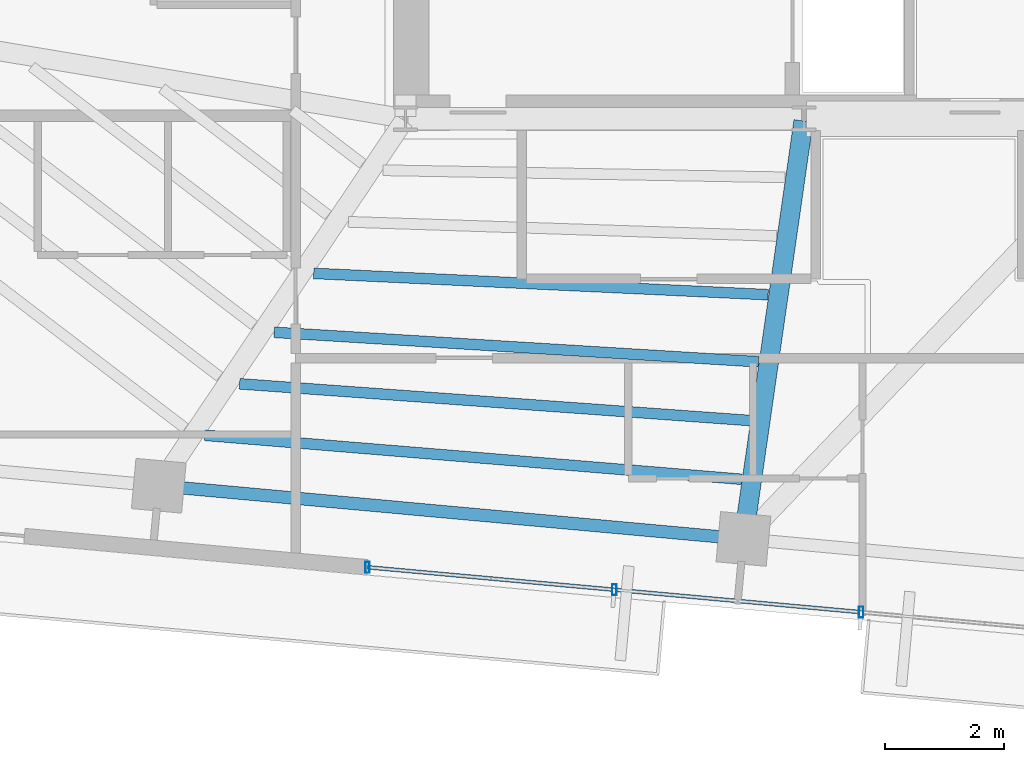
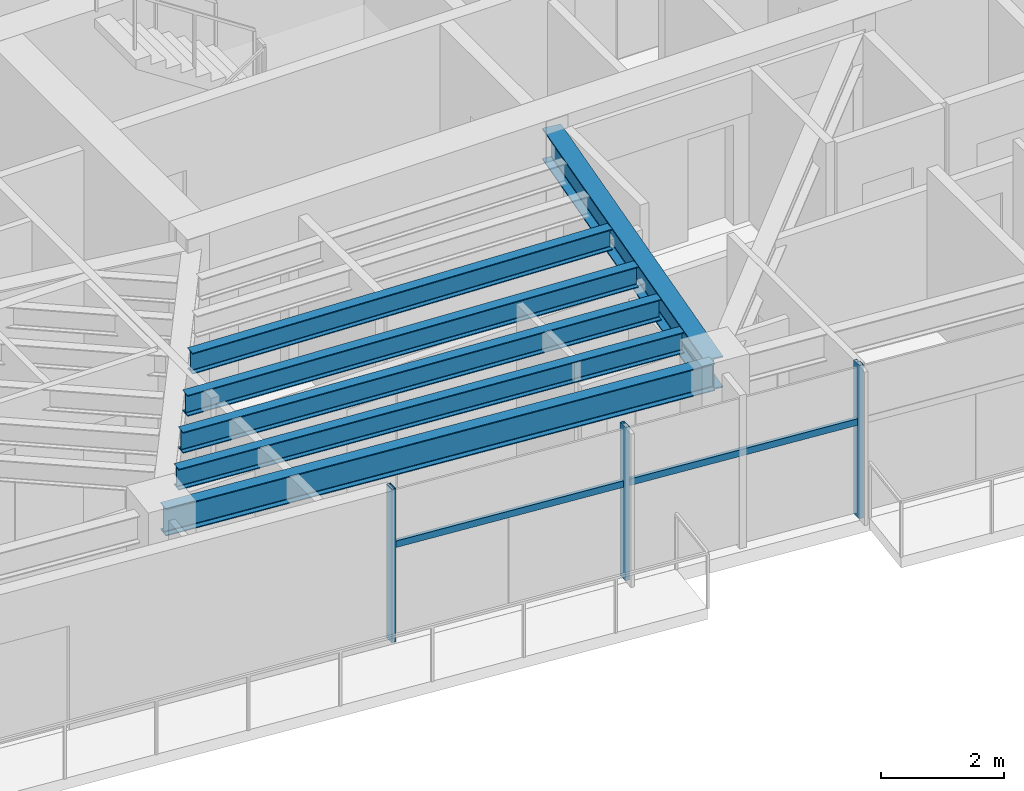
# One storey, part 6 of 22: 6 beams, 5 members, 1 element without a shape of its own.
"""IFC4 building model written with IfcOpenShell, lengths in metres."""

from ifc_helpers import new_model, si_unit, direction, frame, origin, origin_2d, place, context, subcontext, project, spatial, hollow_rectangle, i_section, extrude, source, transform, mapped, material, material_profile, profile_set, type_object, type_shapes, element, aggregate, save


model = new_model("IFC4")

# Units and contexts
model_context = context("Model", 3, precision=1e-05, world=origin(), true_north=direction((0.0, 1.0)))
body_context = subcontext(model_context, "Body", "Model", "MODEL_VIEW")
ifc_project = project(units=[si_unit("LENGTHUNIT", "METRE"), si_unit("AREAUNIT", "SQUARE_METRE"), si_unit("VOLUMEUNIT", "CUBIC_METRE"), si_unit("PLANEANGLEUNIT", "RADIAN"), si_unit("MASSUNIT", "GRAM", prefix="KILO")], contexts=[model_context])

# Site, building, storey
site_placement = place(None, origin())
site = spatial("IfcSite", under=ifc_project, at=site_placement, CompositionType="ELEMENT")
building_placement = place(site_placement, origin())
building = spatial("IfcBuilding", under=site, at=building_placement, Name="Astriad Promenade Condominiums", CompositionType="ELEMENT")
storey_placement = place(building_placement, frame((0.0, 0.0, 226.5)))
storey = spatial("IfcBuildingStorey", under=building, at=storey_placement, Name="L65", CompositionType="ELEMENT", Elevation=226.5)

# Beams
ifc_material_1 = material(Name="Steel ASTM A992 Grade 50", Category="steel")
ifc_material_profile_1 = material_profile(ifc_material_1, i_section(OverallWidth=0.210693359375, OverallDepth=0.53955078125, WebThickness=0.01171875, FlangeThickness=0.018798828125, FilletRadius=0.0166015625, at=origin_2d()), Name="W21X73")
ifc_profile_set_1 = profile_set([ifc_material_profile_1], Name="Steel ASTM A992 Grade 50")
beam_type_1 = type_object("IfcBeamType", Name="STEEL SPANDREL BEAM W21X73", PredefinedType="SPANDREL", material=ifc_profile_set_1)
shared_shape_1 = source(origin(), body_context, "Body", "SweptSolid", [
    extrude(i_section(OverallWidth=0.210693359375, OverallDepth=0.53955078125, WebThickness=0.01171875, FlangeThickness=0.018798828125, FilletRadius=0.0166015625, at=origin_2d()), origin(), (0.0, 0.0, 1.0), 9.81982421875),
])
type_shapes(beam_type_1, [shared_shape_1])
beam_1_placement = place(storey_placement, frame((22.281005859375, 11.205322265625, 2.770263671875), z_axis=(0.995885459014, -0.090620927631, 0.0), x_axis=(0.090620927631, 0.995885459014, 0.0)))
element("IfcBeam", 1, at=beam_1_placement, inside=storey, type_object=beam_type_1, Name="Perimeter Spandrel Beam SP-S2-L65", PredefinedType="SPANDREL", context=body_context, shape_type="MappedRepresentation", body=[
    mapped(shared_shape_1, transform((0.0, 0.0, 0.0), scale=1.0)),
])
ifc_material_profile_2 = material_profile(ifc_material_1, i_section(OverallWidth=0.326416015625, OverallDepth=0.621826171875, WebThickness=0.015380859375, FlangeThickness=0.0244140625, FilletRadius=0.017822265625, at=origin_2d()), Name="W24X131")
ifc_profile_set_2 = profile_set([ifc_material_profile_2], Name="Steel ASTM A992 Grade 50")
beam_type_2 = type_object("IfcBeamType", Name="STEEL FLOOR GIRDER W24X131", PredefinedType="BEAM", material=ifc_profile_set_2)
shared_shape_2 = source(origin(), body_context, "Body", "SweptSolid", [
    extrude(i_section(OverallWidth=0.326416015625, OverallDepth=0.621826171875, WebThickness=0.015380859375, FlangeThickness=0.0244140625, FilletRadius=0.017822265625, at=origin_2d()), origin(), (0.0, 0.0, 1.0), 7.081298828125),
])
type_shapes(beam_type_2, [shared_shape_2])
beam_2_placement = place(storey_placement, frame((32.10595703125, 10.351318359375, 2.72900390625), z_axis=(0.142391481124, 0.989810419274, 0.0), x_axis=(-0.989810419274, 0.142391481124, 0.0)))
element("IfcBeam", 2, at=beam_2_placement, inside=storey, type_object=beam_type_2, Name="Primary Floor Girder PG-C1-L65", PredefinedType="BEAM", context=body_context, shape_type="MappedRepresentation", body=[
    mapped(shared_shape_2, transform((0.0, 0.0, 0.0), scale=1.0)),
])
ifc_material_profile_3 = material_profile(ifc_material_1, i_section(OverallWidth=0.180908203125, OverallDepth=0.417236328125, WebThickness=0.010986328125, FlangeThickness=0.018310546875, FilletRadius=0.013916015625, at=origin_2d()), Name="W16X57")
ifc_profile_set_3 = profile_set([ifc_material_profile_3], Name="Steel ASTM A992 Grade 50")
beam_type_3 = type_object("IfcBeamType", Name="STEEL FLOOR JOIST W16X57", PredefinedType="JOIST", material=ifc_profile_set_3)
shared_shape_3 = source(origin(), body_context, "Body", "SweptSolid", [
    extrude(i_section(OverallWidth=0.180908203125, OverallDepth=0.417236328125, WebThickness=0.010986328125, FlangeThickness=0.018310546875, FilletRadius=0.013916015625, at=origin_2d()), origin(), (0.0, 0.0, 1.0), 9.08056640625),
])
beam_3_placement = place(storey_placement, frame((23.019775390625, 12.059814453125, 2.831298828125), z_axis=(0.996660857814, -0.081652522934, 0.0), x_axis=(0.081652522934, 0.996660857814, 0.0)))
element("IfcBeam", 3, at=beam_3_placement, inside=storey, type_object=beam_type_3, Name="Secondary Composite Floor Joist JCW-1-L65", PredefinedType="JOIST", context=body_context, shape_type="MappedRepresentation", body=[
    mapped(shared_shape_3, transform((0.0, 0.0, 0.0), scale=1.0)),
])
shared_shape_4 = source(origin(), body_context, "Body", "SweptSolid", [
    extrude(i_section(OverallWidth=0.180908203125, OverallDepth=0.417236328125, WebThickness=0.010986328125, FlangeThickness=0.018310546875, FilletRadius=0.013916015625, at=origin_2d()), origin(), (0.0, 0.0, 1.0), 8.631591796875),
])
beam_4_placement = place(storey_placement, frame((23.603271484375, 12.92822265625, 2.831298828125), z_axis=(0.997424124914, -0.071729457259, 0.0), x_axis=(0.071729457259, 0.997424124914, 0.0)))
element("IfcBeam", 4, at=beam_4_placement, inside=storey, type_object=beam_type_3, Name="Secondary Composite Floor Joist JCW-2-L65", PredefinedType="JOIST", context=body_context, shape_type="MappedRepresentation", body=[
    mapped(shared_shape_4, transform((0.0, 0.0, 0.0), scale=1.0)),
])
shared_shape_5 = source(origin(), body_context, "Body", "SweptSolid", [
    extrude(i_section(OverallWidth=0.180908203125, OverallDepth=0.417236328125, WebThickness=0.010986328125, FlangeThickness=0.018310546875, FilletRadius=0.013916015625, at=origin_2d()), origin(), (0.0, 0.0, 1.0), 8.183349609375),
])
beam_5_placement = place(storey_placement, frame((24.186767578125, 13.797119140625, 2.831298828125), z_axis=(0.998148077796, -0.06083103478, 0.0), x_axis=(0.06083103478, 0.998148077796, 0.0)))
element("IfcBeam", 5, at=beam_5_placement, inside=storey, type_object=beam_type_3, Name="Secondary Composite Floor Joist JCW-3-L65", PredefinedType="JOIST", context=body_context, shape_type="MappedRepresentation", body=[
    mapped(shared_shape_5, transform((0.0, 0.0, 0.0), scale=1.0)),
])
shared_shape_6 = source(origin(), body_context, "Body", "SweptSolid", [
    extrude(i_section(OverallWidth=0.180908203125, OverallDepth=0.417236328125, WebThickness=0.010986328125, FlangeThickness=0.018310546875, FilletRadius=0.013916015625, at=origin_2d()), origin(), (0.0, 0.0, 1.0), 7.672119140625),
])
type_shapes(beam_type_3, [shared_shape_3, shared_shape_4, shared_shape_5, shared_shape_6])
beam_6_placement = place(storey_placement, frame((24.85400390625, 14.790283203125, 2.831298828125), z_axis=(0.998903848677, -0.04680919886, 0.0), x_axis=(0.04680919886, 0.998903848677, 0.0)))
element("IfcBeam", 6, at=beam_6_placement, inside=storey, type_object=beam_type_3, Name="Secondary Composite Floor Joist JCW-4-L65", PredefinedType="JOIST", context=body_context, shape_type="MappedRepresentation", body=[
    mapped(shared_shape_6, transform((0.0, 0.0, 0.0), scale=1.0)),
])

# Curtain wall, members
ifc_material_2 = material(Name="Anodised aluminium Black Dark Glass Unitised", Category="aluminium")
curtain_wall_type = type_object("IfcCurtainWallType", Name="CW-B5-DARK", PredefinedType="USERDEFINED", material=ifc_material_2)
curtain_wall_placement = place(storey_placement, origin())
curtain_wall = element("IfcCurtainWall", 7, at=curtain_wall_placement, inside=storey, type_object=curtain_wall_type, Name="CW-L65-S", ObjectType="UNITISED_CURTAIN_WALL", PredefinedType="USERDEFINED")
ifc_material_3 = material(Name="Anodised aluminium 6063-T6 Black", Category="aluminium")
ifc_material_profile_4 = material_profile(ifc_material_3, hollow_rectangle(XDim=0.06494140625, YDim=0.1298828125, WallThickness=0.00390625, at=origin_2d()), Name="ALU-TRN-65X130")
ifc_profile_set_4 = profile_set([ifc_material_profile_4], Name="Anodised aluminium 6063-T6 Black")
member_type_1 = type_object("IfcMemberType", Name="TRN-ALU-TRN-65X130", PredefinedType="USERDEFINED", material=ifc_profile_set_4)
shared_shape_7 = source(origin(), body_context, "Body", "SweptSolid", [
    extrude(hollow_rectangle(XDim=0.06494140625, YDim=0.1298828125, WallThickness=0.00390625, at=origin_2d()), origin(), (0.0, 0.0, 1.0), 4.179931640625),
])
type_shapes(member_type_1, [shared_shape_7])
member_1_placement = place(storey_placement, frame((34.086669921875, 9.07666015625, 1.884765625), z_axis=(-0.995883146811, 0.090646334165, 0.0), x_axis=(-0.090646334165, -0.995883146811, 0.0)))
member_1 = element("IfcMember", 8, at=member_1_placement, type_object=member_type_1, Name="CW-L65-S-TRN-01-0", ObjectType="TRANSOM", PredefinedType="USERDEFINED", context=body_context, shape_type="MappedRepresentation", body=[
    mapped(shared_shape_7, transform((0.0, 0.0, 0.0), scale=1.0)),
])
member_2_placement = place(storey_placement, frame((29.923828125, 9.45556640625, 1.884765625), z_axis=(-0.995883146811, 0.090646334165, 0.0), x_axis=(-0.090646334165, -0.995883146811, 0.0)))
member_2 = element("IfcMember", 9, at=member_2_placement, type_object=member_type_1, Name="CW-L65-S-TRN-02-0", ObjectType="TRANSOM", PredefinedType="USERDEFINED", context=body_context, shape_type="MappedRepresentation", body=[
    mapped(shared_shape_7, transform((0.0, 0.0, 0.0), scale=1.0)),
])
ifc_material_profile_5 = material_profile(ifc_material_3, hollow_rectangle(XDim=0.074951171875, YDim=0.18505859375, WallThickness=0.00439453125, at=origin_2d()), Name="ALU-MUL-75X185")
ifc_profile_set_5 = profile_set([ifc_material_profile_5], Name="Anodised aluminium 6063-T6 Black")
member_type_2 = type_object("IfcMemberType", Name="MUL-ALU-MUL-75X185", PredefinedType="MULLION", material=ifc_profile_set_5)
shared_shape_8 = source(origin(), body_context, "Body", "SweptSolid", [
    extrude(hollow_rectangle(XDim=0.074951171875, YDim=0.18505859375, WallThickness=0.00439453125, at=origin_2d()), origin(), (0.0, 0.0, 1.0), 3.0400390625),
])
type_shapes(member_type_2, [shared_shape_8])
member_3_placement = place(storey_placement, frame((34.086669921875, 9.07666015625, 0.0), z_axis=(0.0, 0.0, 1.0), x_axis=(1.0, 0.0, 0.0)))
member_3 = element("IfcMember", 10, at=member_3_placement, type_object=member_type_2, Name="CW-L65-S-MUL-01", PredefinedType="MULLION", context=body_context, shape_type="MappedRepresentation", body=[
    mapped(shared_shape_8, transform((0.0, 0.0, 0.0), scale=1.0)),
])
member_4_placement = place(storey_placement, frame((29.923828125, 9.45556640625, 0.0), z_axis=(0.0, 0.0, 1.0), x_axis=(1.0, 0.0, 0.0)))
member_4 = element("IfcMember", 11, at=member_4_placement, type_object=member_type_2, Name="CW-L65-S-MUL-02", PredefinedType="MULLION", context=body_context, shape_type="MappedRepresentation", body=[
    mapped(shared_shape_8, transform((0.0, 0.0, 0.0), scale=1.0)),
])
member_5_placement = place(storey_placement, frame((25.760986328125, 9.83447265625, 0.0), z_axis=(0.0, 0.0, 1.0), x_axis=(1.0, 0.0, 0.0)))
member_5 = element("IfcMember", 12, at=member_5_placement, type_object=member_type_2, Name="CW-L65-S-MUL-03", PredefinedType="MULLION", context=body_context, shape_type="MappedRepresentation", body=[
    mapped(shared_shape_8, transform((0.0, 0.0, 0.0), scale=1.0)),
])
aggregate(curtain_wall, [member_3, member_4, member_5, member_1, member_2])

save(model, "model.ifc")
